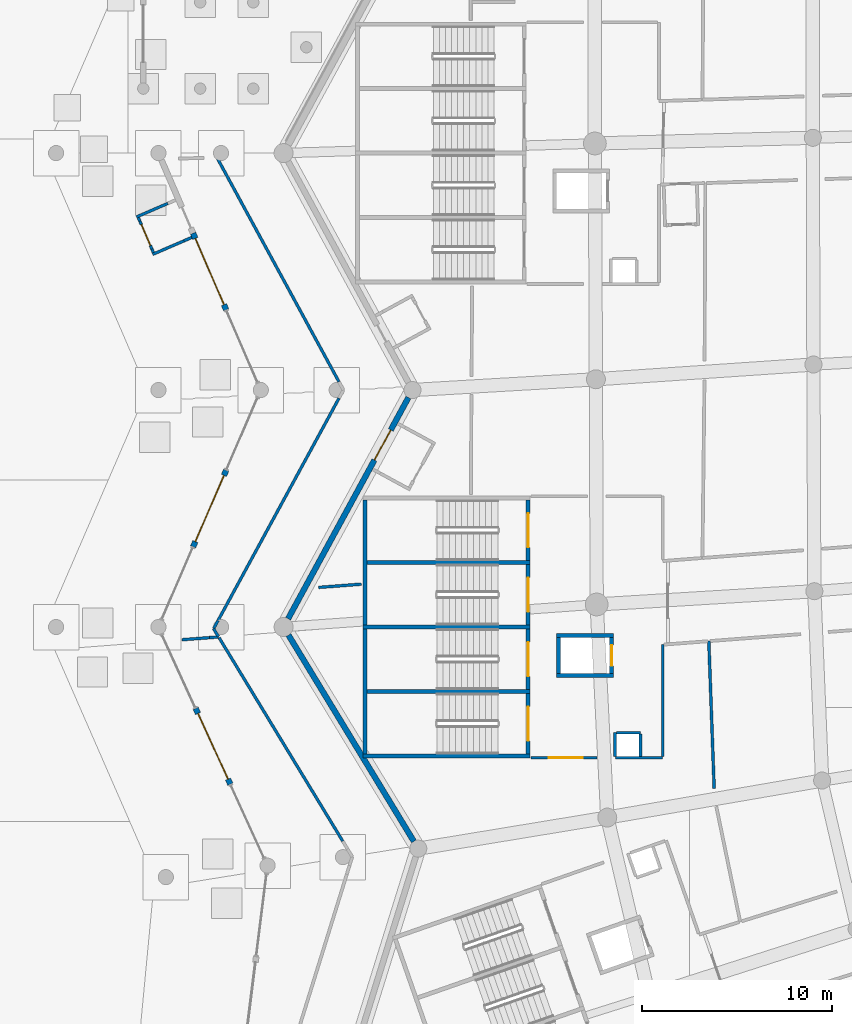
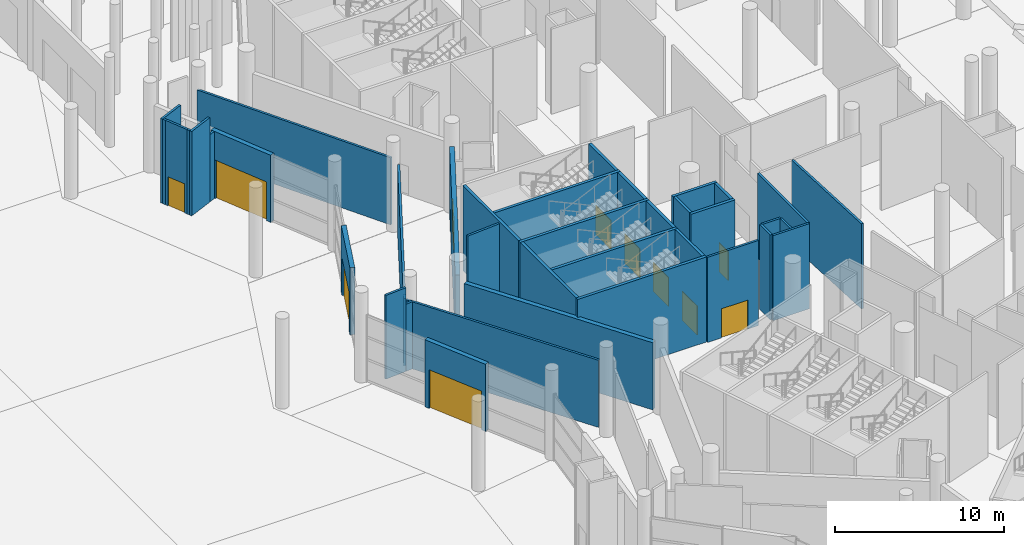
# One storey, part 110 of 255: 40 walls, 11 doors, 11 openings.
"""IFC4 building model written with IfcOpenShell, lengths in metres."""

from ifc_helpers import new_model, si_unit, direction, frame, frame_2d, origin, place, context, subcontext, project, spatial, rectangle, extrude, material, layer, layer_set, type_object, element, fill, save


model = new_model("IFC4")

# Units and contexts
model_context = context("Model", 3, precision=1e-05, world=origin(), true_north=direction((0.0, 1.0)))
body_context = subcontext(model_context, "Body", "Model", "MODEL_VIEW")
ifc_project = project(units=[si_unit("LENGTHUNIT", "METRE"), si_unit("AREAUNIT", "SQUARE_METRE"), si_unit("VOLUMEUNIT", "CUBIC_METRE"), si_unit("PLANEANGLEUNIT", "RADIAN"), si_unit("MASSUNIT", "GRAM", prefix="KILO")], contexts=[model_context])

# Site, building, storey
site_placement = place(None, origin())
site = spatial("IfcSite", under=ifc_project, at=site_placement, CompositionType="ELEMENT")
building_placement = place(site_placement, origin())
building = spatial("IfcBuilding", under=site, at=building_placement, Name="Meseta Stadium", CompositionType="ELEMENT")
storey_placement = place(building_placement, origin())
storey = spatial("IfcBuildingStorey", under=building, at=storey_placement, Name="L00", CompositionType="ELEMENT", Elevation=0.0)

# Walls
ifc_material_1 = material(Name="Concrete C40/50", Category="concrete")
ifc_layer_1 = layer(ifc_material_1, 0.199951171875)
ifc_layer_set_1 = layer_set([ifc_layer_1], Name="Core divider wall 200")
wall_type_1 = type_object("IfcWallType", Name="Core divider wall 200", PredefinedType="SHEAR", material=ifc_layer_set_1)
for number, where, z_axis, x_axis, name in (
    (1, (-97.199951171875, -40.35009765625, 0.0), (0.0, 0.0, 1.0), (1.0, 0.0, 0.0), "Core 19 L00 stair A divider wall"),
    (2, (-97.199951171875, -47.14990234375, 0.0), (0.0, 0.0, 1.0), (1.0, 0.0, 0.0), "Core 19 L00 stair B divider wall"),
):
    element("IfcWall", number, at=place(storey_placement, frame(where, z_axis=z_axis, x_axis=x_axis)), inside=storey, type_object=wall_type_1, Name=name, PredefinedType="SHEAR", context=body_context, shape_type="SweptSolid", body=[
        extrude(rectangle(XDim=8.800048828125, YDim=0.199951171875, at=frame_2d((4.39990234375, 0.0))), origin(), (0.0, 0.0, 1.0), 6.14990234375),
    ])
ifc_material_2 = material(Name="Concrete C40/50", Category="concrete")
ifc_layer_2 = layer(ifc_material_2, 0.199951171875)
ifc_layer_set_2 = layer_set([ifc_layer_2], Name="Core shaft wall 200")
wall_type_2 = type_object("IfcWallType", Name="Core shaft wall 200", PredefinedType="SHEAR", material=ifc_layer_set_2)
for number, where, z_axis, x_axis, name in (
    (3, (-97.199951171875, -43.75, 0.0), (0.0, 0.0, 1.0), (1.0, 0.0, 0.0), "Core 19 L00 stair wall shared"),
    (4, (-97.199951171875, -50.550048828125, 0.0), (0.0, 0.0, 1.0), (1.0, 0.0, 0.0), "Core 19 L00 stair wall B-side"),
):
    element("IfcWall", number, at=place(storey_placement, frame(where, z_axis=z_axis, x_axis=x_axis)), inside=storey, type_object=wall_type_2, Name=name, PredefinedType="SHEAR", context=body_context, shape_type="SweptSolid", body=[
        extrude(rectangle(XDim=8.800048828125, YDim=0.199951171875, at=frame_2d((4.39990234375, 0.0))), origin(), (0.0, 0.0, 1.0), 6.14990234375),
    ])
for number, where, z_axis, x_axis, name in (
    (5, (-97.10009765625, -37.050048828125, 0.0), (0.0, 0.0, 1.0), (0.0, -1.0, 0.0), "Core 19 L00 stair A outer end wall"),
    (6, (-97.10009765625, -43.85009765625, 0.0), (0.0, 0.0, 1.0), (0.0, -1.0, 0.0), "Core 19 L00 stair B outer end wall"),
):
    element("IfcWall", number, at=place(storey_placement, frame(where, z_axis=z_axis, x_axis=x_axis)), inside=storey, type_object=wall_type_2, Name=name, PredefinedType="SHEAR", context=body_context, shape_type="SweptSolid", body=[
        extrude(rectangle(XDim=6.599853515625, YDim=0.199951171875, at=frame_2d((3.2998046875, 0.0))), origin(), (0.0, 0.0, 1.0), 6.14990234375),
    ])

# Wall, opening, door
wall_1_placement = place(storey_placement, frame((-88.5, -37.050048828125, 0.0), z_axis=(0.0, 0.0, 1.0), x_axis=(0.0, -1.0, 0.0)))
wall_1 = element("IfcWall", 7, at=wall_1_placement, inside=storey, type_object=wall_type_2, Name="Core 19 L00 stair A1 inner end wall", PredefinedType="SHEAR", context=body_context, shape_type="SweptSolid", body=[
    extrude(rectangle(XDim=3.199951171875, YDim=0.199951171875, at=frame_2d((1.60009765625, 0.0))), origin(), (0.0, 0.0, 1.0), 6.14990234375),
])
opening_1_placement = place(wall_1_placement, frame((0.699951171875, 0.0, 0.0)))
opening_1 = element("IfcOpeningElement", 8, at=opening_1_placement, cuts=wall_1, Name="Opening D261", PredefinedType="OPENING", context=body_context, shape_type="SweptSolid", body=[
    extrude(rectangle(XDim=1.800048828125, YDim=2.10009765625, at=frame_2d((0.89990234375, 1.050048828125))), frame((0.0, 0.10986328125, 0.0), z_axis=(0.0, -1.0, 0.0), x_axis=(1.0, 0.0, 0.0)), (0.0, 0.0, 1.0), 0.219970703125),
])
ifc_material_3 = material(Name="Steel", Category="steel")
door_type_1 = type_object("IfcDoorType", Name="Stair door 1800x2100", OperationType="DOUBLE_DOOR_SINGLE_SWING", PredefinedType="DOOR", material=ifc_material_3)
door_1_placement = place(opening_1_placement, origin())
door_1 = element("IfcDoor", 9, at=door_1_placement, inside=storey, type_object=door_type_1, Name="Stair A1 door 19 L00", OperationType="DOUBLE_DOOR_SINGLE_SWING", OverallHeight=2.10009765625, OverallWidth=1.800048828125, PredefinedType="DOOR", context=body_context, shape_type="SweptSolid", body=[
    extrude(rectangle(XDim=1.800048828125, YDim=2.10009765625, at=frame_2d((0.89990234375, 1.050048828125))), frame((0.0, 0.02490234375, 0.0), z_axis=(0.0, -1.0, 0.0), x_axis=(1.0, 0.0, 0.0)), (0.0, 0.0, 1.0), 0.050048828125),
])
fill(opening_1, door_1)

wall_2_placement = place(storey_placement, frame((-88.5, -40.449951171875, 0.0), z_axis=(0.0, 0.0, 1.0), x_axis=(0.0, -1.0, 0.0)))
wall_2 = element("IfcWall", 10, at=wall_2_placement, inside=storey, type_object=wall_type_2, Name="Core 19 L00 stair A2 inner end wall", PredefinedType="SHEAR", context=body_context, shape_type="SweptSolid", body=[
    extrude(rectangle(XDim=3.199951171875, YDim=0.199951171875, at=frame_2d((1.60009765625, 0.0))), origin(), (0.0, 0.0, 1.0), 6.14990234375),
])
opening_2_placement = place(wall_2_placement, frame((0.699951171875, 0.0, 0.0)))
opening_2 = element("IfcOpeningElement", 11, at=opening_2_placement, cuts=wall_2, Name="Opening D262", PredefinedType="OPENING", context=body_context, shape_type="SweptSolid", body=[
    extrude(rectangle(XDim=1.800048828125, YDim=2.10009765625, at=frame_2d((0.89990234375, 1.050048828125))), frame((0.0, 0.10986328125, 0.0), z_axis=(0.0, -1.0, 0.0), x_axis=(1.0, 0.0, 0.0)), (0.0, 0.0, 1.0), 0.219970703125),
])
door_2_placement = place(opening_2_placement, origin())
door_2 = element("IfcDoor", 12, at=door_2_placement, inside=storey, type_object=door_type_1, Name="Stair A2 door 19 L00", OperationType="DOUBLE_DOOR_SINGLE_SWING", OverallHeight=2.10009765625, OverallWidth=1.800048828125, PredefinedType="DOOR", context=body_context, shape_type="SweptSolid", body=[
    extrude(rectangle(XDim=1.800048828125, YDim=2.10009765625, at=frame_2d((0.89990234375, 1.050048828125))), frame((0.0, 0.02490234375, 0.0), z_axis=(0.0, -1.0, 0.0), x_axis=(1.0, 0.0, 0.0)), (0.0, 0.0, 1.0), 0.050048828125),
])
fill(opening_2, door_2)

wall_3_placement = place(storey_placement, frame((-88.5, -43.85009765625, 0.0), z_axis=(0.0, 0.0, 1.0), x_axis=(0.0, -1.0, 0.0)))
wall_3 = element("IfcWall", 13, at=wall_3_placement, inside=storey, type_object=wall_type_2, Name="Core 19 L00 stair B1 inner end wall", PredefinedType="SHEAR", context=body_context, shape_type="SweptSolid", body=[
    extrude(rectangle(XDim=3.199951171875, YDim=0.199951171875, at=frame_2d((1.60009765625, 0.0))), origin(), (0.0, 0.0, 1.0), 6.14990234375),
])
opening_3_placement = place(wall_3_placement, frame((0.699951171875, 0.0, 0.0)))
opening_3 = element("IfcOpeningElement", 14, at=opening_3_placement, cuts=wall_3, Name="Opening D263", PredefinedType="OPENING", context=body_context, shape_type="SweptSolid", body=[
    extrude(rectangle(XDim=1.800048828125, YDim=2.10009765625, at=frame_2d((0.89990234375, 1.050048828125))), frame((0.0, 0.10986328125, 0.0), z_axis=(0.0, -1.0, 0.0), x_axis=(1.0, 0.0, 0.0)), (0.0, 0.0, 1.0), 0.219970703125),
])
door_3_placement = place(opening_3_placement, origin())
door_3 = element("IfcDoor", 15, at=door_3_placement, inside=storey, type_object=door_type_1, Name="Stair B1 door 19 L00", OperationType="DOUBLE_DOOR_SINGLE_SWING", OverallHeight=2.10009765625, OverallWidth=1.800048828125, PredefinedType="DOOR", context=body_context, shape_type="SweptSolid", body=[
    extrude(rectangle(XDim=1.800048828125, YDim=2.10009765625, at=frame_2d((0.89990234375, 1.050048828125))), frame((0.0, 0.02490234375, 0.0), z_axis=(0.0, -1.0, 0.0), x_axis=(1.0, 0.0, 0.0)), (0.0, 0.0, 1.0), 0.050048828125),
])
fill(opening_3, door_3)

wall_4_placement = place(storey_placement, frame((-88.5, -47.25, 0.0), z_axis=(0.0, 0.0, 1.0), x_axis=(0.0, -1.0, 0.0)))
wall_4 = element("IfcWall", 16, at=wall_4_placement, inside=storey, type_object=wall_type_2, Name="Core 19 L00 stair B2 inner end wall", PredefinedType="SHEAR", context=body_context, shape_type="SweptSolid", body=[
    extrude(rectangle(XDim=3.199951171875, YDim=0.199951171875, at=frame_2d((1.60009765625, 0.0))), origin(), (0.0, 0.0, 1.0), 6.14990234375),
])
opening_4_placement = place(wall_4_placement, frame((0.699951171875, 0.0, 0.0)))
opening_4 = element("IfcOpeningElement", 17, at=opening_4_placement, cuts=wall_4, Name="Opening D264", PredefinedType="OPENING", context=body_context, shape_type="SweptSolid", body=[
    extrude(rectangle(XDim=1.800048828125, YDim=2.10009765625, at=frame_2d((0.89990234375, 1.050048828125))), frame((0.0, 0.10986328125, 0.0), z_axis=(0.0, -1.0, 0.0), x_axis=(1.0, 0.0, 0.0)), (0.0, 0.0, 1.0), 0.219970703125),
])
door_4_placement = place(opening_4_placement, origin())
door_4 = element("IfcDoor", 18, at=door_4_placement, inside=storey, type_object=door_type_1, Name="Stair B2 door 19 L00", OperationType="DOUBLE_DOOR_SINGLE_SWING", OverallHeight=2.10009765625, OverallWidth=1.800048828125, PredefinedType="DOOR", context=body_context, shape_type="SweptSolid", body=[
    extrude(rectangle(XDim=1.800048828125, YDim=2.10009765625, at=frame_2d((0.89990234375, 1.050048828125))), frame((0.0, 0.02490234375, 0.0), z_axis=(0.0, -1.0, 0.0), x_axis=(1.0, 0.0, 0.0)), (0.0, 0.0, 1.0), 0.050048828125),
])
fill(opening_4, door_4)

# Walls
for number, where, z_axis, x_axis, name in (
    (19, (-87.0, -44.199951171875, 0.0), (0.0, 0.0, 1.0), (1.0, 0.0, 0.0), "Core 19 L00 lift shaft wall left"),
    (20, (-87.0, -46.300048828125, 0.0), (0.0, 0.0, 1.0), (1.0, 0.0, 0.0), "Core 19 L00 lift shaft wall right"),
):
    element("IfcWall", number, at=place(storey_placement, frame(where, z_axis=z_axis, x_axis=x_axis)), inside=storey, type_object=wall_type_2, Name=name, PredefinedType="SHEAR", context=body_context, shape_type="SweptSolid", body=[
        extrude(rectangle(XDim=3.0, YDim=0.199951171875, at=frame_2d((1.5, 0.0))), origin(), (0.0, 0.0, 1.0), 6.14990234375),
    ])
wall_5_placement = place(storey_placement, frame((-86.89990234375, -44.300048828125, 0.0), z_axis=(0.0, 0.0, 1.0), x_axis=(0.0, -1.0, 0.0)))
element("IfcWall", 21, at=wall_5_placement, inside=storey, type_object=wall_type_2, Name="Core 19 L00 lift shaft back wall", PredefinedType="SHEAR", context=body_context, shape_type="SweptSolid", body=[
    extrude(rectangle(XDim=1.89990234375, YDim=0.199951171875, at=frame_2d((0.949951171875, 0.0))), origin(), (0.0, 0.0, 1.0), 6.14990234375),
])

# Wall, opening, door
wall_6_placement = place(storey_placement, frame((-84.10009765625, -44.300048828125, 0.0), z_axis=(0.0, 0.0, 1.0), x_axis=(0.0, -1.0, 0.0)))
wall_6 = element("IfcWall", 22, at=wall_6_placement, inside=storey, type_object=wall_type_2, Name="Core 19 L00 lift shaft front wall", PredefinedType="SHEAR", context=body_context, shape_type="SweptSolid", body=[
    extrude(rectangle(XDim=1.89990234375, YDim=0.199951171875, at=frame_2d((0.949951171875, 0.0))), origin(), (0.0, 0.0, 1.0), 6.14990234375),
])
opening_5_placement = place(wall_6_placement, frame((0.39990234375, 0.0, 0.0)))
opening_5 = element("IfcOpeningElement", 23, at=opening_5_placement, cuts=wall_6, Name="Opening LD104", PredefinedType="OPENING", context=body_context, shape_type="SweptSolid", body=[
    extrude(rectangle(XDim=1.10009765625, YDim=2.10009765625, at=frame_2d((0.550048828125, 1.050048828125))), frame((0.0, 0.10986328125, 0.0), z_axis=(0.0, -1.0, 0.0), x_axis=(1.0, 0.0, 0.0)), (0.0, 0.0, 1.0), 0.219970703125),
])
ifc_material_4 = material(Name="Steel", Category="steel")
door_type_2 = type_object("IfcDoorType", Name="Lift landing door 1100x2100", OperationType="SLIDING_TO_LEFT", PredefinedType="DOOR", material=ifc_material_4)
door_5_placement = place(opening_5_placement, origin())
door_5 = element("IfcDoor", 24, at=door_5_placement, inside=storey, type_object=door_type_2, Name="Lift landing door LD104", OperationType="SLIDING_TO_RIGHT", OverallHeight=2.10009765625, OverallWidth=1.10009765625, PredefinedType="DOOR", context=body_context, shape_type="SweptSolid", body=[
    extrude(rectangle(XDim=1.10009765625, YDim=2.10009765625, at=frame_2d((0.550048828125, 1.050048828125))), frame((0.0, 0.02490234375, 0.0), z_axis=(0.0, -1.0, 0.0), x_axis=(1.0, 0.0, 0.0)), (0.0, 0.0, 1.0), 0.050048828125),
])
fill(opening_5, door_5)

# Walls
ifc_material_5 = material(Name="Masonry blockwork", Category="masonry")
ifc_layer_3 = layer(ifc_material_5, 0.14990234375)
ifc_layer_set_3 = layer_set([ifc_layer_3], Name="Partition 150")
wall_type_3 = type_object("IfcWallType", Name="Partition 150", PredefinedType="PARTITIONING", material=ifc_layer_set_3)
wall_7_placement = place(storey_placement, frame((-97.300048828125, -41.48974609375, 0.0), z_axis=(0.0, 0.0, 1.0), x_axis=(-0.99706720675, -0.076530942913, 0.0)))
element("IfcWall", 25, at=wall_7_placement, inside=storey, type_object=wall_type_3, Name="Partition L00 L00-cell17-3-0", PredefinedType="PARTITIONING", context=body_context, shape_type="SweptSolid", body=[
    extrude(rectangle(XDim=2.25537109375, YDim=0.14990234375, at=frame_2d((1.127685546875, 0.0))), origin(), (0.0, 0.0, 1.0), 6.14990234375),
])
wall_8_placement = place(storey_placement, frame((-78.686767578125, -52.275146484375, 0.0), z_axis=(0.0, 0.0, 1.0), x_axis=(-0.036317977956, 0.999340284626, 0.0)))
element("IfcWall", 26, at=wall_8_placement, inside=storey, type_object=wall_type_3, Name="Partition L00 L00-cell18-1-0", PredefinedType="PARTITIONING", context=body_context, shape_type="SweptSolid", body=[
    extrude(rectangle(XDim=7.784423828125, YDim=0.14990234375, at=frame_2d((3.89208984375, 0.0))), origin(), (0.0, 0.0, 1.0), 6.14990234375),
])

# Wall, opening, door
wall_9_placement = place(storey_placement, frame((-88.360107421875, -50.64990234375, 0.0), z_axis=(0.0, 0.0, 1.0), x_axis=(1.0, 0.0, 0.0)))
wall_9 = element("IfcWall", 27, at=wall_9_placement, inside=storey, type_object=wall_type_3, Name="Partition L00 L00-cell18-2-0", PredefinedType="PARTITIONING", context=body_context, shape_type="SweptSolid", body=[
    extrude(rectangle(XDim=3.480224609375, YDim=0.14990234375, at=frame_2d((1.740234375, 0.0))), origin(), (0.0, 0.0, 1.0), 6.14990234375),
])
opening_6_placement = place(wall_9_placement, frame((0.949951171875, 0.0, 0.0)))
opening_6 = element("IfcOpeningElement", 28, at=opening_6_placement, cuts=wall_9, Name="Opening D590", PredefinedType="OPENING", context=body_context, shape_type="SweptSolid", body=[
    extrude(rectangle(XDim=1.800048828125, YDim=2.10009765625, at=frame_2d((0.89990234375, 1.050048828125))), frame((0.0, 0.0849609375, 0.0), z_axis=(0.0, -1.0, 0.0), x_axis=(1.0, 0.0, 0.0)), (0.0, 0.0, 1.0), 0.169921875),
])
ifc_material_6 = material(Name="Timber", Category="wood")
door_type_3 = type_object("IfcDoorType", Name="Room double door 1800x2100", OperationType="DOUBLE_DOOR_SINGLE_SWING", PredefinedType="DOOR", material=ifc_material_6)
door_6_placement = place(opening_6_placement, origin())
door_6 = element("IfcDoor", 29, at=door_6_placement, inside=storey, type_object=door_type_3, Name="Door D590", OperationType="DOUBLE_DOOR_SINGLE_SWING", OverallHeight=2.10009765625, OverallWidth=1.800048828125, PredefinedType="DOOR", context=body_context, shape_type="SweptSolid", body=[
    extrude(rectangle(XDim=1.800048828125, YDim=2.10009765625, at=frame_2d((0.89990234375, 1.050048828125))), frame((0.0, 0.02490234375, 0.0), z_axis=(0.0, -1.0, 0.0), x_axis=(1.0, 0.0, 0.0)), (0.0, 0.0, 1.0), 0.050048828125),
])
fill(opening_6, door_6)

# Walls
wall_10_placement = place(storey_placement, frame((-83.8857421875, -50.64990234375, 0.0), z_axis=(0.0, 0.0, 1.0), x_axis=(1.0, 0.0, 0.0)))
element("IfcWall", 30, at=wall_10_placement, inside=storey, type_object=wall_type_3, Name="Partition L00 L00-cell18-2-0", PredefinedType="PARTITIONING", context=body_context, shape_type="SweptSolid", body=[
    extrude(rectangle(XDim=2.48583984375, YDim=0.14990234375, at=frame_2d((1.242919921875, 0.0))), origin(), (0.0, 0.0, 1.0), 6.14990234375),
])
wall_11_placement = place(storey_placement, frame((-81.39990234375, -50.574951171875, 0.0), z_axis=(0.0, 0.0, 1.0), x_axis=(0.0, 1.0, 0.0)))
element("IfcWall", 31, at=wall_11_placement, inside=storey, type_object=wall_type_3, Name="Partition L00 L00-cell18-2-0", PredefinedType="PARTITIONING", context=body_context, shape_type="SweptSolid", body=[
    extrude(rectangle(XDim=5.892578125, YDim=0.14990234375, at=frame_2d((2.9462890625, 0.0))), origin(), (0.0, 0.0, 1.0), 6.14990234375),
])
wall_12_placement = place(storey_placement, frame((-104.906982421875, -19.0, 0.0), z_axis=(0.0, 0.0, 1.0), x_axis=(0.47786854719, -0.878431358506, 0.0)))
element("IfcWall", 32, at=wall_12_placement, inside=storey, type_object=wall_type_3, Name="Partition L00 L00-ring17-0", PredefinedType="PARTITIONING", context=body_context, shape_type="SweptSolid", body=[
    extrude(rectangle(XDim=13.447265625, YDim=0.14990234375, at=frame_2d((6.7236328125, 0.0))), origin(), (0.0, 0.0, 1.0), 4.85009765625),
])
wall_13_placement = place(storey_placement, frame((-98.47900390625, -31.68408203125, 0.0), z_axis=(0.0, 0.0, 1.0), x_axis=(-0.477863362558, -0.878434178937, 0.0)))
element("IfcWall", 33, at=wall_13_placement, inside=storey, type_object=wall_type_3, Name="Partition L00 L00-ring17-0", PredefinedType="PARTITIONING", context=body_context, shape_type="SweptSolid", body=[
    extrude(rectangle(XDim=13.34228515625, YDim=0.14990234375, at=frame_2d((6.671142578125, 0.0))), origin(), (0.0, 0.0, 1.0), 4.85009765625),
])
wall_14_placement = place(storey_placement, frame((-104.854736328125, -43.404296875, 0.0), z_axis=(0.0, 0.0, 1.0), x_axis=(-0.477778636386, -0.878480264214, 0.0)))
element("IfcWall", 34, at=wall_14_placement, inside=storey, type_object=wall_type_3, Name="Partition L00 L00-ring17-0", PredefinedType="PARTITIONING", context=body_context, shape_type="SweptSolid", body=[
    extrude(rectangle(XDim=0.494140625, YDim=0.14990234375, at=frame_2d((0.2470703125, 0.0))), origin(), (0.0, 0.0, 1.0), 4.85009765625),
])
wall_15_placement = place(storey_placement, frame((-105.0908203125, -43.83837890625, 0.0), z_axis=(0.0, 0.0, 1.0), x_axis=(0.519227807871, -0.854635877747, 0.0)))
element("IfcWall", 35, at=wall_15_placement, inside=storey, type_object=wall_type_3, Name="Partition L00 L00-ring17-0", PredefinedType="PARTITIONING", context=body_context, shape_type="SweptSolid", body=[
    extrude(rectangle(XDim=0.48486328125, YDim=0.14990234375, at=frame_2d((0.242431640625, 0.0))), origin(), (0.0, 0.0, 1.0), 4.85009765625),
])
wall_16_placement = place(storey_placement, frame((-104.826171875, -44.27392578125, 0.0), z_axis=(0.0, 0.0, 1.0), x_axis=(-0.997060412816, -0.076619404827, 0.0)))
element("IfcWall", 36, at=wall_16_placement, inside=storey, type_object=wall_type_3, Name="Partition L00 L00-ring17-0", PredefinedType="PARTITIONING", context=body_context, shape_type="SweptSolid", body=[
    extrude(rectangle(XDim=0.484375, YDim=0.14990234375, at=frame_2d((0.2421875, 0.0))), origin(), (0.0, 0.0, 1.0), 4.85009765625),
])
wall_17_placement = place(storey_placement, frame((-105.30908203125, -44.31103515625, 0.0), z_axis=(0.0, 0.0, 1.0), x_axis=(-0.997074216986, -0.076439556652, 0.0)))
element("IfcWall", 37, at=wall_17_placement, inside=storey, type_object=wall_type_3, Name="Partition L00 L00-ring17-0", PredefinedType="PARTITIONING", context=body_context, shape_type="SweptSolid", body=[
    extrude(rectangle(XDim=1.453125, YDim=0.14990234375, at=frame_2d((0.7265625, 0.0))), origin(), (0.0, 0.0, 1.0), 6.050048828125),
])
wall_18_placement = place(storey_placement, frame((-104.80029296875, -44.316650390625, 0.0), z_axis=(0.0, 0.0, 1.0), x_axis=(0.519360721843, -0.85455511268, 0.0)))
element("IfcWall", 38, at=wall_18_placement, inside=storey, type_object=wall_type_3, Name="Partition L00 L00-ring18-0", PredefinedType="PARTITIONING", context=body_context, shape_type="SweptSolid", body=[
    extrude(rectangle(XDim=12.553955078125, YDim=0.14990234375, at=frame_2d((6.27685546875, 0.0))), origin(), (0.0, 0.0, 1.0), 4.85009765625),
])
wall_19_placement = place(storey_placement, frame((-83.925048828125, -49.324951171875, 0.0), z_axis=(0.0, 0.0, 1.0), x_axis=(0.0, -1.0, 0.0)))
element("IfcWall", 39, at=wall_19_placement, inside=storey, type_object=wall_type_3, Name="Pressurisation shaft wall L00 core 19", PredefinedType="PARTITIONING", context=body_context, shape_type="SweptSolid", body=[
    extrude(rectangle(XDim=1.2490234375, YDim=0.14990234375, at=frame_2d((0.62451171875, 0.0))), origin(), (0.0, 0.0, 1.0), 6.14990234375),
])
wall_20_placement = place(storey_placement, frame((-82.574951171875, -50.573974609375, 0.0), z_axis=(0.0, 0.0, 1.0), x_axis=(0.0, 1.0, 0.0)))
element("IfcWall", 40, at=wall_20_placement, inside=storey, type_object=wall_type_3, Name="Pressurisation shaft wall L00 core 19", PredefinedType="PARTITIONING", context=body_context, shape_type="SweptSolid", body=[
    extrude(rectangle(XDim=1.174072265625, YDim=0.14990234375, at=frame_2d((0.5869140625, 0.0))), origin(), (0.0, 0.0, 1.0), 6.14990234375),
])
wall_21_placement = place(storey_placement, frame((-82.574951171875, -49.324951171875, 0.0), z_axis=(0.0, 0.0, 1.0), x_axis=(-1.0, 0.0, 0.0)))
element("IfcWall", 41, at=wall_21_placement, inside=storey, type_object=wall_type_3, Name="Pressurisation shaft wall L00 core 19", PredefinedType="PARTITIONING", context=body_context, shape_type="SweptSolid", body=[
    extrude(rectangle(XDim=1.275146484375, YDim=0.14990234375, at=frame_2d((0.6376953125, 0.0))), origin(), (0.0, 0.0, 1.0), 6.14990234375),
])
wall_22_placement = place(storey_placement, frame((-106.24072265625, -23.200439453125, 0.0), z_axis=(0.0, 0.0, 1.0), x_axis=(-0.91799053418, -0.396602293431, 0.0)))
element("IfcWall", 42, at=wall_22_placement, inside=storey, type_object=wall_type_3, Name="Partition L00 L00-ring17-0 vestibule", PredefinedType="PARTITIONING", context=body_context, shape_type="SweptSolid", body=[
    extrude(rectangle(XDim=0.449951171875, YDim=0.14990234375, at=frame_2d((0.22509765625, 0.0))), origin(), (0.0, 0.0, 1.0), 4.85009765625),
])
wall_23_placement = place(storey_placement, frame((-106.65380859375, -23.37890625, 0.0), z_axis=(0.0, 0.0, 1.0), x_axis=(-0.918011864983, -0.39655291671, 0.0)))
element("IfcWall", 43, at=wall_23_placement, inside=storey, type_object=wall_type_3, Name="Partition L00 L00-ring17-0 vestibule", PredefinedType="PARTITIONING", context=body_context, shape_type="SweptSolid", body=[
    extrude(rectangle(XDim=1.80029296875, YDim=0.14990234375, at=frame_2d((0.900146484375, 0.0))), origin(), (0.0, 0.0, 1.0), 6.10009765625),
])
wall_24_placement = place(storey_placement, frame((-107.506591796875, -21.4052734375, 0.0), z_axis=(0.0, 0.0, 1.0), x_axis=(-0.91799053418, -0.396602293431, 0.0)))
element("IfcWall", 44, at=wall_24_placement, inside=storey, type_object=wall_type_3, Name="Partition L00 L00-ring17-0 vestibule", PredefinedType="PARTITIONING", context=body_context, shape_type="SweptSolid", body=[
    extrude(rectangle(XDim=1.800048828125, YDim=0.14990234375, at=frame_2d((0.89990234375, 0.0))), origin(), (0.0, 0.0, 1.0), 6.10009765625),
])
wall_25_placement = place(storey_placement, frame((-108.26708984375, -23.994140625, 0.0), z_axis=(0.0, 0.0, 1.0), x_axis=(-0.396716586321, 0.917941147426, 0.0)))
element("IfcWall", 45, at=wall_25_placement, inside=storey, type_object=wall_type_3, Name="Partition L00 L00-ring17-0 vestibule", PredefinedType="PARTITIONING", context=body_context, shape_type="SweptSolid", body=[
    extrude(rectangle(XDim=0.199951171875, YDim=0.14990234375, at=frame_2d((0.10009765625, 0.0))), origin(), (0.0, 0.0, 1.0), 6.10009765625),
])

# Wall, opening, door
wall_26_placement = place(storey_placement, frame((-108.346435546875, -23.810546875, 0.0), z_axis=(0.0, 0.0, 1.0), x_axis=(-0.396588005523, 0.917996706898, 0.0)))
wall_26 = element("IfcWall", 46, at=wall_26_placement, inside=storey, type_object=wall_type_3, Name="Partition L00 L00-ring17-0 vestibule", PredefinedType="PARTITIONING", context=body_context, shape_type="SweptSolid", body=[
    extrude(rectangle(XDim=1.599853515625, YDim=0.14990234375, at=frame_2d((0.7998046875, 0.0))), origin(), (0.0, 0.0, 1.0), 6.10009765625),
])
opening_7_placement = place(wall_26_placement, frame((0.199951171875, 0.0, 0.0)))
opening_7 = element("IfcOpeningElement", 47, at=opening_7_placement, cuts=wall_26, Name="Opening D879", PredefinedType="OPENING", context=body_context, shape_type="SweptSolid", body=[
    extrude(rectangle(XDim=1.199951171875, YDim=2.10009765625, at=frame_2d((0.60009765625, 1.050048828125))), frame((0.0, 0.0849609375, 0.0), z_axis=(0.0, -1.0, 0.0), x_axis=(1.0, 0.0, 0.0)), (0.0, 0.0, 1.0), 0.169921875),
])
ifc_material_7 = material(Name="Steel", Category="steel")
door_type_4 = type_object("IfcDoorType", Name="Fire door 1200x2100 EI2 60", OperationType="NOTDEFINED", PredefinedType="DOOR", material=ifc_material_7)
door_7_placement = place(opening_7_placement, origin())
door_7 = element("IfcDoor", 48, at=door_7_placement, inside=storey, type_object=door_type_4, Name="Vestibule door L00 L00-ring17-0", OperationType="SINGLE_SWING_RIGHT", OverallHeight=2.10009765625, OverallWidth=1.199951171875, PredefinedType="DOOR", context=body_context, shape_type="SweptSolid", body=[
    extrude(rectangle(XDim=1.199951171875, YDim=2.10009765625, at=frame_2d((0.60009765625, 1.050048828125))), frame((0.0, 0.02490234375, 0.0), z_axis=(0.0, -1.0, 0.0), x_axis=(1.0, 0.0, 0.0)), (0.0, 0.0, 1.0), 0.050048828125),
])
fill(opening_7, door_7)

# Wall
wall_27_placement = place(storey_placement, frame((-108.98095703125, -22.341796875, 0.0), z_axis=(0.0, 0.0, 1.0), x_axis=(-0.396716586321, 0.917941147426, 0.0)))
element("IfcWall", 49, at=wall_27_placement, inside=storey, type_object=wall_type_3, Name="Partition L00 L00-ring17-0 vestibule", PredefinedType="PARTITIONING", context=body_context, shape_type="SweptSolid", body=[
    extrude(rectangle(XDim=0.199951171875, YDim=0.14990234375, at=frame_2d((0.10009765625, 0.0))), origin(), (0.0, 0.0, 1.0), 6.10009765625),
])

# Wall, opening, door
ifc_material_8 = material(Name="White precast concrete C40/50", Category="concrete")
ifc_layer_4 = layer(ifc_material_8, 0.300048828125)
ifc_layer_set_4 = layer_set([ifc_layer_4], Name="Pleated panel wall 300 concourse")
wall_type_4 = type_object("IfcWallType", Name="Pleated panel wall 300 concourse", PredefinedType="SOLIDWALL", material=ifc_layer_set_4)
wall_28_placement = place(storey_placement, frame((-101.1611328125, -43.31103515625, 0.0), z_axis=(0.0, 0.0, 1.0), x_axis=(0.477867771117, 0.878431780691, 0.0)))
wall_28 = element("IfcWall", 50, at=wall_28_placement, inside=storey, type_object=wall_type_4, Name="Pleated facade panel L00 F35", PredefinedType="SOLIDWALL", context=body_context, shape_type="SweptSolid", body=[
    extrude(rectangle(XDim=13.2802734375, YDim=0.300048828125, at=frame_2d((6.64013671875, 0.0))), origin(), (0.0, 0.0, 1.0), 4.85009765625),
])
opening_8_placement = place(wall_28_placement, frame((9.530029296875, 0.0, 0.0)))
opening_8 = element("IfcOpeningElement", 51, at=opening_8_placement, cuts=wall_28, Name="Opening D977", PredefinedType="OPENING", context=body_context, shape_type="SweptSolid", body=[
    extrude(rectangle(XDim=1.800048828125, YDim=2.39990234375, at=frame_2d((0.89990234375, 1.199951171875))), frame((0.0, 0.159912109375, 0.0), z_axis=(0.0, -1.0, 0.0), x_axis=(1.0, 0.0, 0.0)), (0.0, 0.0, 1.0), 0.320068359375),
])
ifc_material_9 = material(Name="Steel", Category="steel")
door_type_5 = type_object("IfcDoorType", Name="Fire double door 1800x2400 EI2 60", OperationType="DOUBLE_DOOR_SINGLE_SWING", PredefinedType="DOOR", material=ifc_material_9)
door_8_placement = place(opening_8_placement, origin())
door_8 = element("IfcDoor", 52, at=door_8_placement, inside=storey, type_object=door_type_5, Name="Concourse door", OperationType="DOUBLE_DOOR_SINGLE_SWING", OverallHeight=2.39990234375, OverallWidth=1.800048828125, PredefinedType="DOOR", context=body_context, shape_type="SweptSolid", body=[
    extrude(rectangle(XDim=1.800048828125, YDim=2.39990234375, at=frame_2d((0.89990234375, 1.199951171875))), frame((0.0, 0.02490234375, 0.0), z_axis=(0.0, -1.0, 0.0), x_axis=(1.0, 0.0, 0.0)), (0.0, 0.0, 1.0), 0.050048828125),
])
fill(opening_8, door_8)

# Wall
wall_29_placement = place(storey_placement, frame((-94.52783203125, -55.057373046875, 0.0), z_axis=(0.0, 0.0, 1.0), x_axis=(-0.519362860044, 0.854553813172, 0.0)))
element("IfcWall", 53, at=wall_29_placement, inside=storey, type_object=wall_type_4, Name="Pleated facade panel L00 F36", PredefinedType="SOLIDWALL", context=body_context, shape_type="SweptSolid", body=[
    extrude(rectangle(XDim=12.732421875, YDim=0.300048828125, at=frame_2d((6.3662109375, 0.0))), origin(), (0.0, 0.0, 1.0), 4.85009765625),
])

# Wall, opening, door
ifc_material_10 = material(Name="Precast concrete C40/50", Category="concrete")
ifc_layer_5 = layer(ifc_material_10, 0.300048828125)
ifc_layer_set_5 = layer_set([ifc_layer_5], Name="Ring facade panel wall 300")
wall_type_5 = type_object("IfcWallType", Name="Ring facade panel wall 300", PredefinedType="SOLIDWALL", material=ifc_layer_set_5)
wall_30_placement = place(storey_placement, frame((-104.427490234375, -27.01953125, 0.0), z_axis=(0.0, 0.0, 1.0), x_axis=(-0.396623075329, 0.917981555434, 0.0)))
wall_30 = element("IfcWall", 54, at=wall_30_placement, inside=storey, type_object=wall_type_5, Name="Ring facade panel wall F34", PredefinedType="SOLIDWALL", context=body_context, shape_type="SweptSolid", body=[
    extrude(rectangle(XDim=4.39990234375, YDim=0.300048828125, at=frame_2d((2.199951171875, 0.0))), origin(), (0.0, 0.0, 1.0), 4.85009765625),
])
opening_9_placement = place(wall_30_placement, frame((0.300048828125, 0.0, 0.0)))
opening_9 = element("IfcOpeningElement", 55, at=opening_9_placement, cuts=wall_30, Name="Opening D956", PredefinedType="OPENING", context=body_context, shape_type="SweptSolid", body=[
    extrude(rectangle(XDim=3.800048828125, YDim=2.800048828125, at=frame_2d((1.89990234375, 1.39990234375))), frame((0.0, 0.159912109375, 0.0), z_axis=(0.0, -1.0, 0.0), x_axis=(1.0, 0.0, 0.0)), (0.0, 0.0, 1.0), 0.320068359375),
])
ifc_material_11 = material(Name="Steel", Category="steel")
door_type_6 = type_object("IfcDoorType", Name="Final exit door 3800x2800", OperationType="DOUBLE_DOOR_SINGLE_SWING", PredefinedType="DOOR", material=ifc_material_11)
door_9_placement = place(opening_9_placement, origin())
door_9 = element("IfcDoor", 56, at=door_9_placement, inside=storey, type_object=door_type_6, Name="Final exit F21", OperationType="DOUBLE_DOOR_SINGLE_SWING", OverallHeight=2.800048828125, OverallWidth=3.800048828125, PredefinedType="DOOR", context=body_context, shape_type="SweptSolid", body=[
    extrude(rectangle(XDim=3.800048828125, YDim=2.800048828125, at=frame_2d((1.89990234375, 1.39990234375))), frame((0.0, 0.02490234375, 0.0), z_axis=(0.0, -1.0, 0.0), x_axis=(1.0, 0.0, 0.0)), (0.0, 0.0, 1.0), 0.050048828125),
])
fill(opening_9, door_9)

wall_31_placement = place(storey_placement, frame((-106.172607421875, -39.51953125, 0.0), z_axis=(0.0, 0.0, 1.0), x_axis=(0.396623075329, 0.917981555434, 0.0)))
wall_31 = element("IfcWall", 57, at=wall_31_placement, inside=storey, type_object=wall_type_5, Name="Ring facade panel wall F35", PredefinedType="SOLIDWALL", context=body_context, shape_type="SweptSolid", body=[
    extrude(rectangle(XDim=4.39990234375, YDim=0.300048828125, at=frame_2d((2.199951171875, 0.0))), origin(), (0.0, 0.0, 1.0), 4.85009765625),
])
opening_10_placement = place(wall_31_placement, frame((0.300048828125, 0.0, 0.0)))
opening_10 = element("IfcOpeningElement", 58, at=opening_10_placement, cuts=wall_31, Name="Opening D957", PredefinedType="OPENING", context=body_context, shape_type="SweptSolid", body=[
    extrude(rectangle(XDim=3.800048828125, YDim=2.800048828125, at=frame_2d((1.89990234375, 1.39990234375))), frame((0.0, 0.159912109375, 0.0), z_axis=(0.0, -1.0, 0.0), x_axis=(1.0, 0.0, 0.0)), (0.0, 0.0, 1.0), 0.320068359375),
])
door_10_placement = place(opening_10_placement, origin())
door_10 = element("IfcDoor", 59, at=door_10_placement, inside=storey, type_object=door_type_6, Name="Final exit F22", OperationType="DOUBLE_DOOR_SINGLE_SWING", OverallHeight=2.800048828125, OverallWidth=3.800048828125, PredefinedType="DOOR", context=body_context, shape_type="SweptSolid", body=[
    extrude(rectangle(XDim=3.800048828125, YDim=2.800048828125, at=frame_2d((1.89990234375, 1.39990234375))), frame((0.0, 0.02490234375, 0.0), z_axis=(0.0, -1.0, 0.0), x_axis=(1.0, 0.0, 0.0)), (0.0, 0.0, 1.0), 0.050048828125),
])
fill(opening_10, door_10)

wall_32_placement = place(storey_placement, frame((-104.207275390625, -52.044189453125, 0.0), z_axis=(0.0, 0.0, 1.0), x_axis=(-0.415892203278, 0.90941391855, 0.0)))
wall_32 = element("IfcWall", 60, at=wall_32_placement, inside=storey, type_object=wall_type_5, Name="Ring facade panel wall F36", PredefinedType="SOLIDWALL", context=body_context, shape_type="SweptSolid", body=[
    extrude(rectangle(XDim=4.399658203125, YDim=0.300048828125, at=frame_2d((2.19970703125, 0.0))), origin(), (0.0, 0.0, 1.0), 4.85009765625),
])
opening_11_placement = place(wall_32_placement, frame((0.300048828125, 0.0, 0.0)))
opening_11 = element("IfcOpeningElement", 61, at=opening_11_placement, cuts=wall_32, Name="Opening D958", PredefinedType="OPENING", context=body_context, shape_type="SweptSolid", body=[
    extrude(rectangle(XDim=3.800048828125, YDim=2.800048828125, at=frame_2d((1.89990234375, 1.39990234375))), frame((0.0, 0.159912109375, 0.0), z_axis=(0.0, -1.0, 0.0), x_axis=(1.0, 0.0, 0.0)), (0.0, 0.0, 1.0), 0.320068359375),
])
door_11_placement = place(opening_11_placement, origin())
door_11 = element("IfcDoor", 62, at=door_11_placement, inside=storey, type_object=door_type_6, Name="Final exit F23", OperationType="DOUBLE_DOOR_SINGLE_SWING", OverallHeight=2.800048828125, OverallWidth=3.800048828125, PredefinedType="DOOR", context=body_context, shape_type="SweptSolid", body=[
    extrude(rectangle(XDim=3.800048828125, YDim=2.800048828125, at=frame_2d((1.89990234375, 1.39990234375))), frame((0.0, 0.02490234375, 0.0), z_axis=(0.0, -1.0, 0.0), x_axis=(1.0, 0.0, 0.0)), (0.0, 0.0, 1.0), 0.050048828125),
])
fill(opening_11, door_11)

save(model, "model.ifc")
